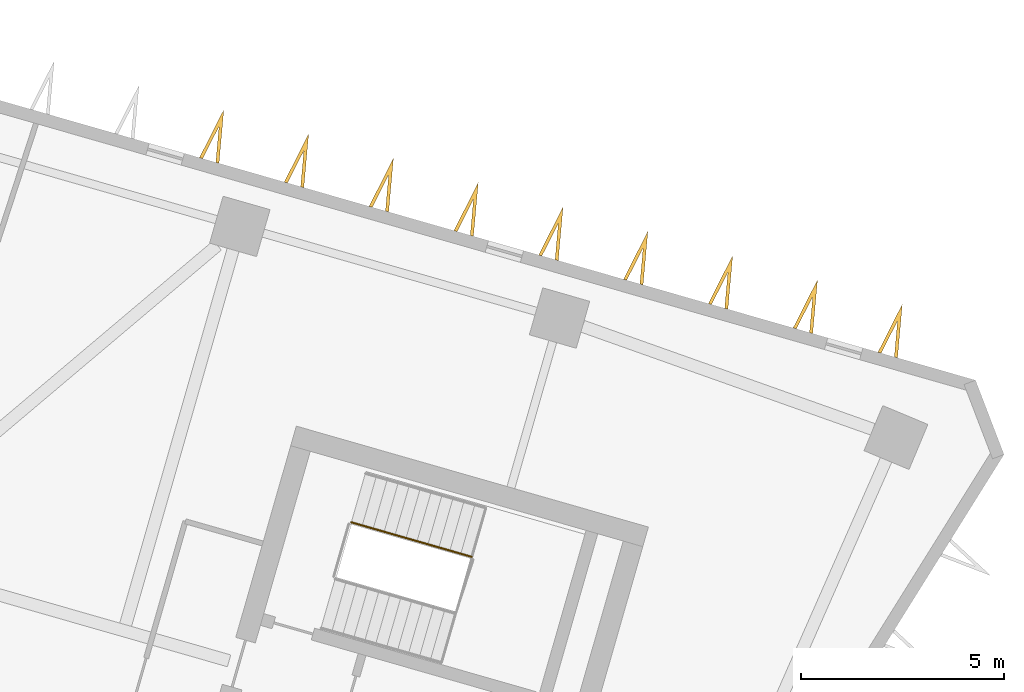
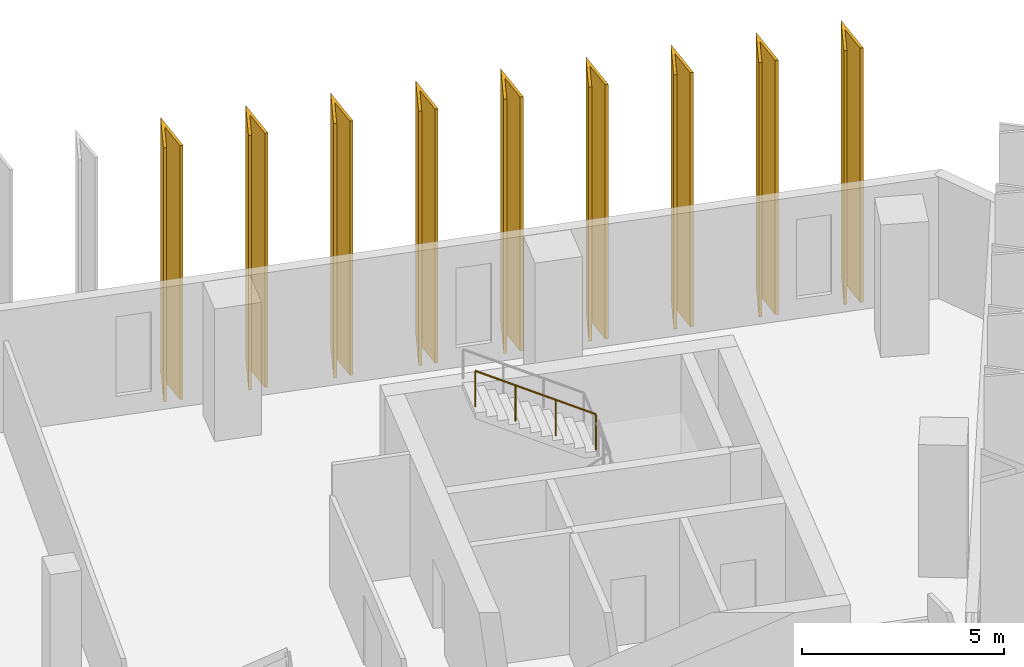
# One storey, part 10 of 10: 9 shading devices, 1 railing.
"""IFC4 building model written with IfcOpenShell, lengths in metres."""

from ifc_helpers import new_model, si_unit, direction, frame, origin, origin_2d, place, context, subcontext, project, spatial, polyline, circle, outline, extrude, material, type_object, element, save


model = new_model("IFC4")

# Units and contexts
model_context = context("Model", 3, precision=1e-05, world=origin(), true_north=direction((0.0, 1.0)))
body_context = subcontext(model_context, "Body", "Model", "MODEL_VIEW")
ifc_project = project(units=[si_unit("LENGTHUNIT", "METRE"), si_unit("AREAUNIT", "SQUARE_METRE"), si_unit("VOLUMEUNIT", "CUBIC_METRE"), si_unit("PLANEANGLEUNIT", "RADIAN"), si_unit("MASSUNIT", "GRAM", prefix="KILO")], contexts=[model_context])

# Site, building, storey
site_placement = place(None, origin())
site = spatial("IfcSite", under=ifc_project, at=site_placement, CompositionType="ELEMENT")
building_placement = place(site_placement, origin())
building = spatial("IfcBuilding", under=site, at=building_placement, Name="Binnacle Exchange Tower", CompositionType="ELEMENT")
storey_placement = place(building_placement, frame((0.0, 0.0, 178.89990234375)))
storey = spatial("IfcBuildingStorey", under=building, at=storey_placement, Name="L38", CompositionType="ELEMENT", Elevation=178.89990234375)

# Railing
ifc_material_1 = material(Name="Steel guard rail", Category="steel")
railing_type = type_object("IfcRailingType", Name="STAIR GUARD 1100", PredefinedType="GUARDRAIL", material=ifc_material_1)
railing_placement = place(storey_placement, frame((24.447021484375, 57.255126953125, 2.166748046875)))
element("IfcRailing", 1, at=railing_placement, inside=storey, type_object=railing_type, Name="L38 STD1 stair guard 2", PredefinedType="GUARDRAIL", context=body_context, shape_type="SweptSolid", body=[
    extrude(circle(Radius=0.02392578125, at=origin_2d()), frame((0.0, 0.0, 1.076171875), z_axis=(-0.826006950853, 0.236897186037, 0.511460888427), x_axis=(-0.27568413623, -0.961248280639, 0.0)), (0.0, 0.0, 1.0), 3.584228515625),
    extrude(circle(Radius=0.02099609375, at=origin_2d()), origin(), (0.0, 0.0, 1.0), 1.052001953125),
    extrude(circle(Radius=0.02099609375, at=origin_2d()), frame((-0.98681640625, 0.282958984375, 0.611083984375)), (0.0, 0.0, 1.0), 1.052001953125),
    extrude(circle(Radius=0.02099609375, at=origin_2d()), frame((-1.973876953125, 0.566162109375, 1.22216796875)), (0.0, 0.0, 1.0), 1.052001953125),
    extrude(circle(Radius=0.02099609375, at=origin_2d()), frame((-2.960693359375, 0.84912109375, 1.833251953125)), (0.0, 0.0, 1.0), 1.052001953125),
])

# Shading devices
ifc_material_2 = material(Name="Bronze aluminium cladding", Category="aluminium")
shading_device_type = type_object("IfcShadingDeviceType", Name="V FIN 1300 DEEP x 7680 HIGH", PredefinedType="USERDEFINED", material=ifc_material_2)
shading_device_1_placement = place(storey_placement, origin())
element("IfcShadingDevice", 2, at=shading_device_1_placement, inside=storey, type_object=shading_device_type, Name="V fin FN-G06-01 L38", ObjectType="FIN", PredefinedType="USERDEFINED", context=body_context, shape_type="SweptSolid", body=[
    extrude(outline(polyline([(34.90966796875, 62.145751953125), (35.027587890625, 63.46435546875), (34.42919921875, 62.28369140625), (34.50732421875, 62.26123046875), (34.910888671875, 63.05712890625), (34.831298828125, 62.168212890625), (34.90966796875, 62.145751953125)])), origin(), (0.0, 0.0, 1.0), 7.68017578125),
])
shading_device_2_placement = place(storey_placement, origin())
element("IfcShadingDevice", 3, at=shading_device_2_placement, inside=storey, type_object=shading_device_type, Name="V fin FN-G06-02 L38", ObjectType="FIN", PredefinedType="USERDEFINED", context=body_context, shape_type="SweptSolid", body=[
    extrude(outline(polyline([(32.825439453125, 62.743408203125), (32.943359375, 64.06201171875), (32.3447265625, 62.88134765625), (32.423095703125, 62.85888671875), (32.82666015625, 63.65478515625), (32.7470703125, 62.765869140625), (32.825439453125, 62.743408203125)])), origin(), (0.0, 0.0, 1.0), 7.68017578125),
])
shading_device_3_placement = place(storey_placement, origin())
element("IfcShadingDevice", 4, at=shading_device_3_placement, inside=storey, type_object=shading_device_type, Name="V fin FN-G06-03 L38", ObjectType="FIN", PredefinedType="USERDEFINED", context=body_context, shape_type="SweptSolid", body=[
    extrude(outline(polyline([(30.7412109375, 63.341064453125), (30.859130859375, 64.65966796875), (30.260498046875, 63.47900390625), (30.3388671875, 63.45654296875), (30.742431640625, 64.25244140625), (30.662841796875, 63.363525390625), (30.7412109375, 63.341064453125)])), origin(), (0.0, 0.0, 1.0), 7.68017578125),
])
shading_device_4_placement = place(storey_placement, origin())
element("IfcShadingDevice", 5, at=shading_device_4_placement, inside=storey, type_object=shading_device_type, Name="V fin FN-G06-04 L38", ObjectType="FIN", PredefinedType="USERDEFINED", context=body_context, shape_type="SweptSolid", body=[
    extrude(outline(polyline([(28.656982421875, 63.938720703125), (28.77490234375, 65.25732421875), (28.17626953125, 64.07666015625), (28.254638671875, 64.05419921875), (28.658203125, 64.85009765625), (28.57861328125, 63.961181640625), (28.656982421875, 63.938720703125)])), origin(), (0.0, 0.0, 1.0), 7.68017578125),
])
shading_device_5_placement = place(storey_placement, origin())
element("IfcShadingDevice", 6, at=shading_device_5_placement, inside=storey, type_object=shading_device_type, Name="V fin FN-G06-05 L38", ObjectType="FIN", PredefinedType="USERDEFINED", context=body_context, shape_type="SweptSolid", body=[
    extrude(outline(polyline([(26.57275390625, 64.536376953125), (26.690673828125, 65.85498046875), (26.092041015625, 64.67431640625), (26.17041015625, 64.65185546875), (26.573974609375, 65.44775390625), (26.494384765625, 64.558837890625), (26.57275390625, 64.536376953125)])), origin(), (0.0, 0.0, 1.0), 7.68017578125),
])
shading_device_6_placement = place(storey_placement, origin())
element("IfcShadingDevice", 7, at=shading_device_6_placement, inside=storey, type_object=shading_device_type, Name="V fin FN-G06-06 L38", ObjectType="FIN", PredefinedType="USERDEFINED", context=body_context, shape_type="SweptSolid", body=[
    extrude(outline(polyline([(24.488525390625, 65.134033203125), (24.6064453125, 66.45263671875), (24.0078125, 65.27197265625), (24.086181640625, 65.24951171875), (24.48974609375, 66.04541015625), (24.41015625, 65.156494140625), (24.488525390625, 65.134033203125)])), origin(), (0.0, 0.0, 1.0), 7.68017578125),
])
shading_device_7_placement = place(storey_placement, origin())
element("IfcShadingDevice", 8, at=shading_device_7_placement, inside=storey, type_object=shading_device_type, Name="V fin FN-G06-07 L38", ObjectType="FIN", PredefinedType="USERDEFINED", context=body_context, shape_type="SweptSolid", body=[
    extrude(outline(polyline([(22.404296875, 65.731689453125), (22.522216796875, 67.05029296875), (21.923583984375, 65.869384765625), (22.001953125, 65.84716796875), (22.405517578125, 66.64306640625), (22.325927734375, 65.754150390625), (22.404296875, 65.731689453125)])), origin(), (0.0, 0.0, 1.0), 7.68017578125),
])
shading_device_8_placement = place(storey_placement, origin())
element("IfcShadingDevice", 9, at=shading_device_8_placement, inside=storey, type_object=shading_device_type, Name="V fin FN-G06-08 L38", ObjectType="FIN", PredefinedType="USERDEFINED", context=body_context, shape_type="SweptSolid", body=[
    extrude(outline(polyline([(20.320068359375, 66.329345703125), (20.43798828125, 67.64794921875), (19.83935546875, 66.46728515625), (19.917724609375, 66.44482421875), (20.3212890625, 67.24072265625), (20.24169921875, 66.351806640625), (20.320068359375, 66.329345703125)])), origin(), (0.0, 0.0, 1.0), 7.68017578125),
])
shading_device_9_placement = place(storey_placement, origin())
element("IfcShadingDevice", 10, at=shading_device_9_placement, inside=storey, type_object=shading_device_type, Name="V fin FN-G06-09 L38", ObjectType="FIN", PredefinedType="USERDEFINED", context=body_context, shape_type="SweptSolid", body=[
    extrude(outline(polyline([(18.23583984375, 66.927001953125), (18.353759765625, 68.24560546875), (17.755126953125, 67.064697265625), (17.83349609375, 67.04248046875), (18.237060546875, 67.83837890625), (18.157470703125, 66.949462890625), (18.23583984375, 66.927001953125)])), origin(), (0.0, 0.0, 1.0), 7.68017578125),
])

save(model, "model.ifc")
